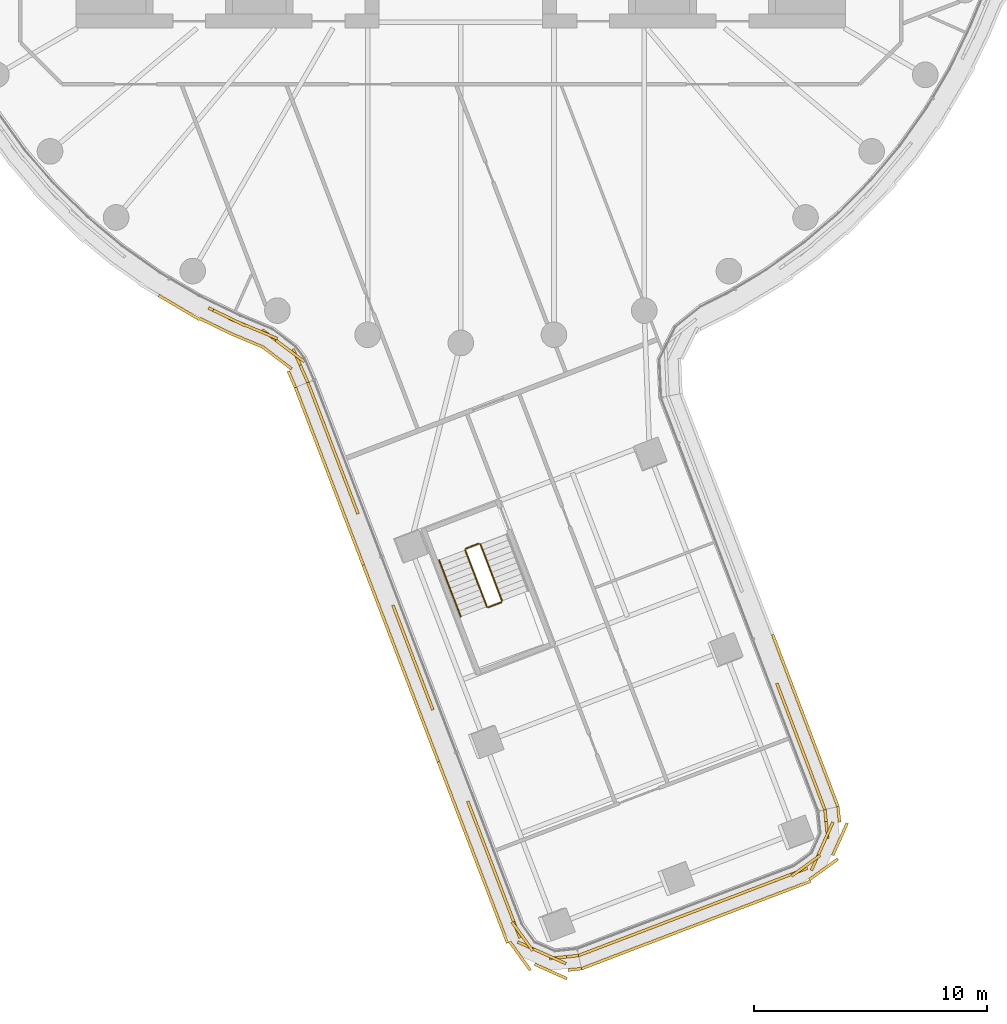
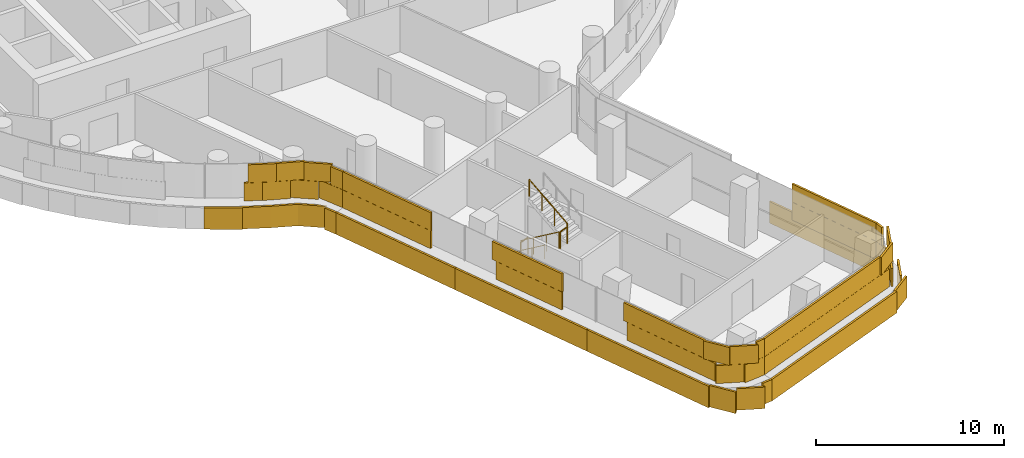
# One storey, part 26 of 32: 6 coverings, 5 railings.
"""IFC4 building model written with IfcOpenShell, lengths in metres."""

from ifc_helpers import new_model, si_unit, direction, frame, origin, origin_2d, place, context, subcontext, project, spatial, rectangle, circle, extrude, material, layer, layer_set, type_object, element, save


model = new_model("IFC4")

# Units and contexts
model_context = context("Model", 3, precision=1e-05, world=origin(), true_north=direction((0.0, 1.0)))
body_context = subcontext(model_context, "Body", "Model", "MODEL_VIEW")
ifc_project = project(units=[si_unit("LENGTHUNIT", "METRE"), si_unit("AREAUNIT", "SQUARE_METRE"), si_unit("VOLUMEUNIT", "CUBIC_METRE"), si_unit("PLANEANGLEUNIT", "RADIAN"), si_unit("MASSUNIT", "GRAM", prefix="KILO")], contexts=[model_context])

# Site, building, storey
site_placement = place(None, origin())
site = spatial("IfcSite", under=ifc_project, at=site_placement, CompositionType="ELEMENT")
building_placement = place(site_placement, origin())
building = spatial("IfcBuilding", under=site, at=building_placement, Name="Tamarind Cross Interchange Tower", CompositionType="ELEMENT")
storey_placement = place(building_placement, frame((0.0, 0.0, 109.75)))
storey = spatial("IfcBuildingStorey", under=building, at=storey_placement, Name="L26", CompositionType="ELEMENT", Elevation=109.75)

# Railings
ifc_material_1 = material(Name="Stair guard")
railing_type_1 = type_object("IfcRailingType", Name="Stair guard", PredefinedType="GUARDRAIL", material=ifc_material_1)
railing_1_placement = place(storey_placement, frame((0.1875, -31.88330078125, 0.17041015625)))
element("IfcRailing", 1, at=railing_1_placement, inside=storey, type_object=railing_type_1, Name="L26 ST6 stair guard 1", PredefinedType="GUARDRAIL", context=body_context, shape_type="SweptSolid", body=[
    extrude(circle(Radius=0.02392578125, at=origin_2d()), frame((0.0, 0.0, 1.076171875), z_axis=(0.298255740947, -0.781291829036, 0.548294255737), x_axis=(0.934240573214, 0.356643451308, 0.0)), (0.0, 0.0, 1.0), 3.10888671875),
    extrude(circle(Radius=0.02099609375, at=origin_2d()), origin(), (0.0, 0.0, 1.0), 1.052001953125),
    extrude(circle(Radius=0.02099609375, at=origin_2d()), frame((0.30908203125, -0.8095703125, 0.568115234375)), (0.0, 0.0, 1.0), 1.052001953125),
    extrude(circle(Radius=0.02099609375, at=origin_2d()), frame((0.6181640625, -1.619384765625, 1.136474609375)), (0.0, 0.0, 1.0), 1.052001953125),
    extrude(circle(Radius=0.02099609375, at=origin_2d()), frame((0.92724609375, -2.428955078125, 1.70458984375)), (0.0, 0.0, 1.0), 1.052001953125),
])
railing_2_placement = place(storey_placement, frame((1.17919921875, -34.341064453125, 1.875)))
element("IfcRailing", 2, at=railing_2_placement, inside=storey, type_object=railing_type_1, Name="L26 ST6 stair guard 2", PredefinedType="GUARDRAIL", context=body_context, shape_type="SweptSolid", body=[
    extrude(circle(Radius=0.02392578125, at=origin_2d()), frame((0.0, 0.0, 1.076171875), z_axis=(0.934171540045, 0.356824233719, 0.0), x_axis=(-0.356824233719, 0.934171540045, 0.0)), (0.0, 0.0, 1.0), 0.60009765625),
    extrude(circle(Radius=0.02099609375, at=origin_2d()), origin(), (0.0, 0.0, 1.0), 1.052001953125),
    extrude(circle(Radius=0.02099609375, at=origin_2d()), frame((0.560546875, 0.214111328125, 0.0)), (0.0, 0.0, 1.0), 1.052001953125),
])
railing_3_placement = place(storey_placement, frame((1.768798828125, -34.0625, 2.04541015625)))
element("IfcRailing", 3, at=railing_3_placement, inside=storey, type_object=railing_type_1, Name="L26 ST6 stair guard 3", PredefinedType="GUARDRAIL", context=body_context, shape_type="SweptSolid", body=[
    extrude(circle(Radius=0.02392578125, at=origin_2d()), frame((0.0, 0.0, 1.076171875), z_axis=(-0.298327282392, 0.781273527908, 0.548281412388), x_axis=(-0.934209283065, -0.356725406208, 0.0)), (0.0, 0.0, 1.0), 3.10888671875),
    extrude(circle(Radius=0.02099609375, at=origin_2d()), origin(), (0.0, 0.0, 1.0), 1.052001953125),
    extrude(circle(Radius=0.02099609375, at=origin_2d()), frame((-0.30908203125, 0.8095703125, 0.568115234375)), (0.0, 0.0, 1.0), 1.052001953125),
    extrude(circle(Radius=0.02099609375, at=origin_2d()), frame((-0.618408203125, 1.619384765625, 1.136474609375)), (0.0, 0.0, 1.0), 1.052001953125),
    extrude(circle(Radius=0.02099609375, at=origin_2d()), frame((-0.927490234375, 2.428955078125, 1.70458984375)), (0.0, 0.0, 1.0), 1.052001953125),
])
railing_4_placement = place(storey_placement, frame((0.21630859375, -31.818603515625, 0.0)))
element("IfcRailing", 4, at=railing_4_placement, inside=storey, type_object=railing_type_1, Name="L26 ST6 stair guard 4", PredefinedType="GUARDRAIL", context=body_context, shape_type="SweptSolid", body=[
    extrude(circle(Radius=0.02392578125, at=origin_2d()), frame((0.0, 0.0, 1.076171875), z_axis=(0.934307115973, 0.356469091286, 0.0), x_axis=(-0.356469091286, 0.934307115973, 0.0)), (0.0, 0.0, 1.0), 0.599853515625),
    extrude(circle(Radius=0.02099609375, at=origin_2d()), origin(), (0.0, 0.0, 1.0), 1.052001953125),
    extrude(circle(Radius=0.02099609375, at=origin_2d()), frame((0.560546875, 0.2138671875, 0.0)), (0.0, 0.0, 1.0), 1.052001953125),
])
ifc_material_2 = material(Name="Stair handrail")
railing_type_2 = type_object("IfcRailingType", Name="Stair handrail", PredefinedType="HANDRAIL", material=ifc_material_2)
railing_5_placement = place(storey_placement, frame((-0.93359375, -32.311279296875, 0.17041015625)))
element("IfcRailing", 5, at=railing_5_placement, inside=storey, type_object=railing_type_2, Name="L26 ST6 stair handrail 1", PredefinedType="HANDRAIL", context=body_context, shape_type="SweptSolid", body=[
    extrude(circle(Radius=0.02392578125, at=origin_2d()), frame((0.0, 0.0, 0.8759765625), z_axis=(0.298255740947, -0.781291829036, 0.548294255737), x_axis=(0.934240573214, 0.356643451308, 0.0)), (0.0, 0.0, 1.0), 3.10888671875),
    extrude(circle(Radius=0.02099609375, at=origin_2d()), origin(), (0.0, 0.0, 1.0), 0.851806640625),
    extrude(circle(Radius=0.02099609375, at=origin_2d()), frame((0.30908203125, -0.8095703125, 0.568115234375)), (0.0, 0.0, 1.0), 0.851806640625),
    extrude(circle(Radius=0.02099609375, at=origin_2d()), frame((0.6181640625, -1.619384765625, 1.136474609375)), (0.0, 0.0, 1.0), 0.851806640625),
    extrude(circle(Radius=0.02099609375, at=origin_2d()), frame((0.92724609375, -2.428955078125, 1.70458984375)), (0.0, 0.0, 1.0), 0.851806640625),
])

# Coverings
ifc_material_3 = material(Name="Terracotta", Category="masonry")
ifc_layer = layer(ifc_material_3, 0.1201171875)
ifc_layer_set = layer_set([ifc_layer], Name="Terracotta")
covering_type = type_object("IfcCoveringType", Name="Terracotta baguette screen unit", PredefinedType="MOLDING", material=ifc_layer_set)
covering_1_placement = place(storey_placement, origin())
element("IfcCovering", 6, at=covering_1_placement, inside=storey, type_object=covering_type, Name="SCR-L26-02-01", PredefinedType="MOLDING", context=body_context, shape_type="SweptSolid", body=[
    extrude(rectangle(XDim=0.989013671875, YDim=0.1201171875, at=origin_2d()), frame((-10.378662109375, -21.712646484375, 1.404052734375), z_axis=(0.0, 0.0, 1.0), x_axis=(0.900272776334, -0.435326231914, 0.0)), (0.0, 0.0, 1.0), 1.1669921875),
    extrude(rectangle(XDim=1.52001953125, YDim=0.1201171875, at=origin_2d()), frame((-9.2548828125, -22.235107421875, 1.404052734375), z_axis=(0.0, 0.0, 1.0), x_axis=(0.92225308649, -0.386586658408, 0.0)), (0.0, 0.0, 1.0), 1.1669921875),
    extrude(rectangle(XDim=1.52001953125, YDim=0.1201171875, at=origin_2d()), frame((-7.917724609375, -22.89501953125, 1.404052734375), z_axis=(0.0, 0.0, 1.0), x_axis=(0.798500600965, -0.601994011813, 0.0)), (0.0, 0.0, 1.0), 1.1669921875),
    extrude(rectangle(XDim=1.52001953125, YDim=0.1201171875, at=origin_2d()), frame((-6.8876953125, -23.95166015625, 1.404052734375), z_axis=(0.0, 0.0, 1.0), x_axis=(0.403415408267, -0.915016944309, 0.0)), (0.0, 0.0, 1.0), 1.1669921875),
    extrude(rectangle(XDim=0.068359375, YDim=0.1201171875, at=origin_2d()), frame((-6.573486328125, -24.664794921875, 1.404052734375), z_axis=(0.0, 0.0, 1.0), x_axis=(0.403415408267, -0.915016944309, 0.0)), (0.0, 0.0, 1.0), 1.1669921875),
    extrude(rectangle(XDim=1.52001953125, YDim=0.1201171875, at=origin_2d()), frame((-9.93798828125, -21.92578125, 2.5791015625), z_axis=(0.0, 0.0, 1.0), x_axis=(0.900272776334, -0.435326231914, 0.0)), (0.0, 0.0, 1.0), 1.1669921875),
    extrude(rectangle(XDim=1.52001953125, YDim=0.1201171875, at=origin_2d()), frame((-8.563232421875, -22.52490234375, 2.5791015625), z_axis=(0.0, 0.0, 1.0), x_axis=(0.92225308649, -0.386586658408, 0.0)), (0.0, 0.0, 1.0), 1.1669921875),
    extrude(rectangle(XDim=1.52001953125, YDim=0.1201171875, at=origin_2d()), frame((-7.31884765625, -23.346435546875, 2.5791015625), z_axis=(0.0, 0.0, 1.0), x_axis=(0.798500600965, -0.601994011813, 0.0)), (0.0, 0.0, 1.0), 1.1669921875),
    extrude(rectangle(XDim=0.818359375, YDim=0.1201171875, at=origin_2d()), frame((-6.724609375, -24.321533203125, 2.5791015625), z_axis=(0.0, 0.0, 1.0), x_axis=(0.403415408267, -0.915016944309, 0.0)), (0.0, 0.0, 1.0), 1.1669921875),
    extrude(rectangle(XDim=0.534423828125, YDim=0.1201171875, at=origin_2d()), frame((-12.7236328125, -21.101318359375, 0.00390625), z_axis=(0.0, 0.0, 1.0), x_axis=(0.861248933065, -0.508183308752, 0.0)), (0.0, 0.0, 1.0), 1.39208984375),
    extrude(rectangle(XDim=1.52001953125, YDim=0.1201171875, at=origin_2d()), frame((-11.856201171875, -21.61328125, 0.00390625), z_axis=(0.0, 0.0, 1.0), x_axis=(0.861248933065, -0.508183308752, 0.0)), (0.0, 0.0, 1.0), 1.39208984375),
    extrude(rectangle(XDim=1.52001953125, YDim=0.1201171875, at=origin_2d()), frame((-10.515380859375, -22.2841796875, 0.00390625), z_axis=(0.0, 0.0, 1.0), x_axis=(0.900272776334, -0.435326231914, 0.0)), (0.0, 0.0, 1.0), 1.39208984375),
    extrude(rectangle(XDim=1.52001953125, YDim=0.1201171875, at=origin_2d()), frame((-9.14892578125, -22.90185546875, 0.00390625), z_axis=(0.0, 0.0, 1.0), x_axis=(0.92225308649, -0.386586658408, 0.0)), (0.0, 0.0, 1.0), 1.39208984375),
    extrude(rectangle(XDim=1.52001953125, YDim=0.1201171875, at=origin_2d()), frame((-7.864501953125, -23.65380859375, 0.00390625), z_axis=(0.0, 0.0, 1.0), x_axis=(0.798500600965, -0.601994011813, 0.0)), (0.0, 0.0, 1.0), 1.39208984375),
    extrude(rectangle(XDim=0.760498046875, YDim=0.1201171875, at=origin_2d()), frame((-7.24609375, -24.561767578125, 0.00390625), z_axis=(0.0, 0.0, 1.0), x_axis=(0.403415408267, -0.915016944309, 0.0)), (0.0, 0.0, 1.0), 1.39208984375),
])
covering_2_placement = place(storey_placement, origin())
element("IfcCovering", 7, at=covering_2_placement, inside=storey, type_object=covering_type, Name="SCR-L26-03-00", PredefinedType="MOLDING", context=body_context, shape_type="SweptSolid", body=[
    extrude(rectangle(XDim=1.510009765625, YDim=0.1201171875, at=origin_2d()), frame((-6.294189453125, -25.39208984375, 1.404052734375), z_axis=(0.0, 0.0, 1.0), x_axis=(0.356672778674, -0.934229377055, 0.0)), (0.0, 0.0, 1.0), 1.1669921875),
    extrude(rectangle(XDim=1.52001953125, YDim=0.1201171875, at=origin_2d()), frame((-5.759033203125, -26.79345703125, 1.404052734375), z_axis=(0.0, 0.0, 1.0), x_axis=(0.356672778674, -0.934229377055, 0.0)), (0.0, 0.0, 1.0), 1.1669921875),
    extrude(rectangle(XDim=1.52001953125, YDim=0.1201171875, at=origin_2d()), frame((-5.22412109375, -28.19482421875, 1.404052734375), z_axis=(0.0, 0.0, 1.0), x_axis=(0.356672778674, -0.934229377055, 0.0)), (0.0, 0.0, 1.0), 1.1669921875),
    extrude(rectangle(XDim=1.52001953125, YDim=0.1201171875, at=origin_2d()), frame((-4.68896484375, -29.59619140625, 1.404052734375), z_axis=(0.0, 0.0, 1.0), x_axis=(0.356672778674, -0.934229377055, 0.0)), (0.0, 0.0, 1.0), 1.1669921875),
    extrude(rectangle(XDim=0.760009765625, YDim=0.1201171875, at=origin_2d()), frame((-6.427734375, -25.041748046875, 2.5791015625), z_axis=(0.0, 0.0, 1.0), x_axis=(0.356672778674, -0.934229377055, 0.0)), (0.0, 0.0, 1.0), 1.1669921875),
    extrude(rectangle(XDim=1.52001953125, YDim=0.1201171875, at=origin_2d()), frame((-6.026611328125, -26.0927734375, 2.5791015625), z_axis=(0.0, 0.0, 1.0), x_axis=(0.356672778674, -0.934229377055, 0.0)), (0.0, 0.0, 1.0), 1.1669921875),
    extrude(rectangle(XDim=1.52001953125, YDim=0.1201171875, at=origin_2d()), frame((-5.49169921875, -27.494140625, 2.5791015625), z_axis=(0.0, 0.0, 1.0), x_axis=(0.356672778674, -0.934229377055, 0.0)), (0.0, 0.0, 1.0), 1.1669921875),
    extrude(rectangle(XDim=1.52001953125, YDim=0.1201171875, at=origin_2d()), frame((-4.95654296875, -28.8955078125, 2.5791015625), z_axis=(0.0, 0.0, 1.0), x_axis=(0.356672778674, -0.934229377055, 0.0)), (0.0, 0.0, 1.0), 1.1669921875),
    extrude(rectangle(XDim=0.791259765625, YDim=0.1201171875, at=origin_2d()), frame((-4.5498046875, -29.961181640625, 2.5791015625), z_axis=(0.0, 0.0, 1.0), x_axis=(0.356672778674, -0.934229377055, 0.0)), (0.0, 0.0, 1.0), 1.1669921875),
    extrude(rectangle(XDim=1.510009765625, YDim=0.1201171875, at=origin_2d()), frame((-6.823486328125, -25.614990234375, 0.00390625), z_axis=(0.0, 0.0, 1.0), x_axis=(0.356672778674, -0.934229377055, 0.0)), (0.0, 0.0, 1.0), 1.39208984375),
    extrude(rectangle(XDim=1.52001953125, YDim=0.1201171875, at=origin_2d()), frame((-6.2900390625, -27.01171875, 0.00390625), z_axis=(0.0, 0.0, 1.0), x_axis=(0.356672778674, -0.934229377055, 0.0)), (0.0, 0.0, 1.0), 1.39208984375),
    extrude(rectangle(XDim=1.52001953125, YDim=0.1201171875, at=origin_2d()), frame((-5.755126953125, -28.4130859375, 0.00390625), z_axis=(0.0, 0.0, 1.0), x_axis=(0.356672778674, -0.934229377055, 0.0)), (0.0, 0.0, 1.0), 1.39208984375),
    extrude(rectangle(XDim=1.52001953125, YDim=0.1201171875, at=origin_2d()), frame((-5.22021484375, -29.814453125, 0.00390625), z_axis=(0.0, 0.0, 1.0), x_axis=(0.356672778674, -0.934229377055, 0.0)), (0.0, 0.0, 1.0), 1.39208984375),
    extrude(rectangle(XDim=1.52001953125, YDim=0.1201171875, at=origin_2d()), frame((-4.68505859375, -31.2158203125, 0.00390625), z_axis=(0.0, 0.0, 1.0), x_axis=(0.356672778674, -0.934229377055, 0.0)), (0.0, 0.0, 1.0), 1.39208984375),
    extrude(rectangle(XDim=0.6611328125, YDim=0.1201171875, at=origin_2d()), frame((-4.30322265625, -32.2158203125, 0.00390625), z_axis=(0.0, 0.0, 1.0), x_axis=(0.356672778674, -0.934229377055, 0.0)), (0.0, 0.0, 1.0), 1.39208984375),
])
covering_3_placement = place(storey_placement, origin())
element("IfcCovering", 8, at=covering_3_placement, inside=storey, type_object=covering_type, Name="SCR-L26-03-01", PredefinedType="MOLDING", context=body_context, shape_type="SweptSolid", body=[
    extrude(rectangle(XDim=1.52001953125, YDim=0.1201171875, at=origin_2d()), frame((-2.549072265625, -35.201416015625, 1.404052734375), z_axis=(0.0, 0.0, 1.0), x_axis=(0.356672778674, -0.934229377055, 0.0)), (0.0, 0.0, 1.0), 1.1669921875),
    extrude(rectangle(XDim=1.52001953125, YDim=0.1201171875, at=origin_2d()), frame((-2.013916015625, -36.602783203125, 1.404052734375), z_axis=(0.0, 0.0, 1.0), x_axis=(0.356672778674, -0.934229377055, 0.0)), (0.0, 0.0, 1.0), 1.1669921875),
    extrude(rectangle(XDim=1.52001953125, YDim=0.1201171875, at=origin_2d()), frame((-1.47900390625, -38.004150390625, 1.404052734375), z_axis=(0.0, 0.0, 1.0), x_axis=(0.356672778674, -0.934229377055, 0.0)), (0.0, 0.0, 1.0), 1.1669921875),
    extrude(rectangle(XDim=1.02880859375, YDim=0.1201171875, at=origin_2d()), frame((-2.730712890625, -34.7255859375, 2.5791015625), z_axis=(0.0, 0.0, 1.0), x_axis=(0.356672778674, -0.934229377055, 0.0)), (0.0, 0.0, 1.0), 1.1669921875),
    extrude(rectangle(XDim=1.52001953125, YDim=0.1201171875, at=origin_2d()), frame((-2.281494140625, -35.902099609375, 2.5791015625), z_axis=(0.0, 0.0, 1.0), x_axis=(0.356672778674, -0.934229377055, 0.0)), (0.0, 0.0, 1.0), 1.1669921875),
    extrude(rectangle(XDim=1.52001953125, YDim=0.1201171875, at=origin_2d()), frame((-1.74658203125, -37.303466796875, 2.5791015625), z_axis=(0.0, 0.0, 1.0), x_axis=(0.356672778674, -0.934229377055, 0.0)), (0.0, 0.0, 1.0), 1.1669921875),
    extrude(rectangle(XDim=0.794677734375, YDim=0.1201171875, at=origin_2d()), frame((-1.339111328125, -38.370849609375, 2.5791015625), z_axis=(0.0, 0.0, 1.0), x_axis=(0.356672778674, -0.934229377055, 0.0)), (0.0, 0.0, 1.0), 1.1669921875),
    extrude(rectangle(XDim=0.85888671875, YDim=0.1201171875, at=origin_2d()), frame((-4.0322265625, -32.926025390625, 0.00390625), z_axis=(0.0, 0.0, 1.0), x_axis=(0.356672778674, -0.934229377055, 0.0)), (0.0, 0.0, 1.0), 1.39208984375),
    extrude(rectangle(XDim=1.52001953125, YDim=0.1201171875, at=origin_2d()), frame((-3.614990234375, -34.0185546875, 0.00390625), z_axis=(0.0, 0.0, 1.0), x_axis=(0.356672778674, -0.934229377055, 0.0)), (0.0, 0.0, 1.0), 1.39208984375),
    extrude(rectangle(XDim=1.52001953125, YDim=0.1201171875, at=origin_2d()), frame((-3.080078125, -35.419921875, 0.00390625), z_axis=(0.0, 0.0, 1.0), x_axis=(0.356672778674, -0.934229377055, 0.0)), (0.0, 0.0, 1.0), 1.39208984375),
    extrude(rectangle(XDim=1.52001953125, YDim=0.1201171875, at=origin_2d()), frame((-2.545166015625, -36.821044921875, 0.00390625), z_axis=(0.0, 0.0, 1.0), x_axis=(0.356672778674, -0.934229377055, 0.0)), (0.0, 0.0, 1.0), 1.39208984375),
    extrude(rectangle(XDim=1.52001953125, YDim=0.1201171875, at=origin_2d()), frame((-2.010009765625, -38.222412109375, 0.00390625), z_axis=(0.0, 0.0, 1.0), x_axis=(0.356672778674, -0.934229377055, 0.0)), (0.0, 0.0, 1.0), 1.39208984375),
    extrude(rectangle(XDim=1.52001953125, YDim=0.1201171875, at=origin_2d()), frame((-1.47509765625, -39.623779296875, 0.00390625), z_axis=(0.0, 0.0, 1.0), x_axis=(0.356672778674, -0.934229377055, 0.0)), (0.0, 0.0, 1.0), 1.39208984375),
    extrude(rectangle(XDim=0.6865234375, YDim=0.1201171875, at=origin_2d()), frame((-1.088623046875, -40.635986328125, 0.00390625), z_axis=(0.0, 0.0, 1.0), x_axis=(0.356672778674, -0.934229377055, 0.0)), (0.0, 0.0, 1.0), 1.39208984375),
])
covering_4_placement = place(storey_placement, origin())
element("IfcCovering", 9, at=covering_4_placement, inside=storey, type_object=covering_type, Name="SCR-L26-03-02", PredefinedType="MOLDING", context=body_context, shape_type="SweptSolid", body=[
    extrude(rectangle(XDim=1.52001953125, YDim=0.1201171875, at=origin_2d()), frame((0.6611328125, -43.609619140625, 1.404052734375), z_axis=(0.0, 0.0, 1.0), x_axis=(0.356672778674, -0.934229377055, 0.0)), (0.0, 0.0, 1.0), 1.1669921875),
    extrude(rectangle(XDim=1.52001953125, YDim=0.1201171875, at=origin_2d()), frame((1.196044921875, -45.010986328125, 1.404052734375), z_axis=(0.0, 0.0, 1.0), x_axis=(0.356672778674, -0.934229377055, 0.0)), (0.0, 0.0, 1.0), 1.1669921875),
    extrude(rectangle(XDim=1.52001953125, YDim=0.1201171875, at=origin_2d()), frame((1.73095703125, -46.412353515625, 1.404052734375), z_axis=(0.0, 0.0, 1.0), x_axis=(0.356672778674, -0.934229377055, 0.0)), (0.0, 0.0, 1.0), 1.1669921875),
    extrude(rectangle(XDim=1.52001953125, YDim=0.1201171875, at=origin_2d()), frame((2.26611328125, -47.813720703125, 1.404052734375), z_axis=(0.0, 0.0, 1.0), x_axis=(0.356672778674, -0.934229377055, 0.0)), (0.0, 0.0, 1.0), 1.1669921875),
    extrude(rectangle(XDim=1.52001953125, YDim=0.1201171875, at=origin_2d()), frame((3.130126953125, -49.00341796875, 1.404052734375), z_axis=(0.0, 0.0, 1.0), x_axis=(0.912805668165, -0.408394187234, 0.0)), (0.0, 0.0, 1.0), 1.1669921875),
    extrude(rectangle(XDim=1.265625, YDim=0.1201171875, at=origin_2d()), frame((4.424072265625, -49.339599609375, 1.404052734375), z_axis=(0.0, 0.0, 1.0), x_axis=(0.994709990966, 0.10272309318, 0.0)), (0.0, 0.0, 1.0), 1.1669921875),
    extrude(rectangle(XDim=1.025146484375, YDim=0.1201171875, at=origin_2d()), frame((0.47998046875, -43.13525390625, 2.5791015625), z_axis=(0.0, 0.0, 1.0), x_axis=(0.356672778674, -0.934229377055, 0.0)), (0.0, 0.0, 1.0), 1.1669921875),
    extrude(rectangle(XDim=1.52001953125, YDim=0.1201171875, at=origin_2d()), frame((0.928466796875, -44.310302734375, 2.5791015625), z_axis=(0.0, 0.0, 1.0), x_axis=(0.356672778674, -0.934229377055, 0.0)), (0.0, 0.0, 1.0), 1.1669921875),
    extrude(rectangle(XDim=1.52001953125, YDim=0.1201171875, at=origin_2d()), frame((1.463623046875, -45.711669921875, 2.5791015625), z_axis=(0.0, 0.0, 1.0), x_axis=(0.356672778674, -0.934229377055, 0.0)), (0.0, 0.0, 1.0), 1.1669921875),
    extrude(rectangle(XDim=1.52001953125, YDim=0.1201171875, at=origin_2d()), frame((1.99853515625, -47.113037109375, 2.5791015625), z_axis=(0.0, 0.0, 1.0), x_axis=(0.356672778674, -0.934229377055, 0.0)), (0.0, 0.0, 1.0), 1.1669921875),
    extrude(rectangle(XDim=1.52001953125, YDim=0.1201171875, at=origin_2d()), frame((2.6416015625, -48.455810546875, 2.5791015625), z_axis=(0.0, 0.0, 1.0), x_axis=(0.586315803732, -0.810082574985, 0.0)), (0.0, 0.0, 1.0), 1.1669921875),
    extrude(rectangle(XDim=1.52001953125, YDim=0.1201171875, at=origin_2d()), frame((3.814697265625, -49.309814453125, 2.5791015625), z_axis=(0.0, 0.0, 1.0), x_axis=(0.912805668165, -0.408394187234, 0.0)), (0.0, 0.0, 1.0), 1.1669921875),
    extrude(rectangle(XDim=0.515625, YDim=0.1201171875, at=origin_2d()), frame((4.797119140625, -49.301025390625, 2.5791015625), z_axis=(0.0, 0.0, 1.0), x_axis=(0.994709990966, 0.10272309318, 0.0)), (0.0, 0.0, 1.0), 1.1669921875),
    extrude(rectangle(XDim=0.83349609375, YDim=0.1201171875, at=origin_2d()), frame((-0.817626953125, -41.345947265625, 0.00390625), z_axis=(0.0, 0.0, 1.0), x_axis=(0.356672778674, -0.934229377055, 0.0)), (0.0, 0.0, 1.0), 1.39208984375),
    extrude(rectangle(XDim=1.52001953125, YDim=0.1201171875, at=origin_2d()), frame((-0.405029296875, -42.426513671875, 0.00390625), z_axis=(0.0, 0.0, 1.0), x_axis=(0.356672778674, -0.934229377055, 0.0)), (0.0, 0.0, 1.0), 1.39208984375),
    extrude(rectangle(XDim=1.52001953125, YDim=0.1201171875, at=origin_2d()), frame((0.1298828125, -43.827880859375, 0.00390625), z_axis=(0.0, 0.0, 1.0), x_axis=(0.356672778674, -0.934229377055, 0.0)), (0.0, 0.0, 1.0), 1.39208984375),
    extrude(rectangle(XDim=1.52001953125, YDim=0.1201171875, at=origin_2d()), frame((0.6650390625, -45.229248046875, 0.00390625), z_axis=(0.0, 0.0, 1.0), x_axis=(0.356672778674, -0.934229377055, 0.0)), (0.0, 0.0, 1.0), 1.39208984375),
    extrude(rectangle(XDim=1.52001953125, YDim=0.1201171875, at=origin_2d()), frame((1.199951171875, -46.630615234375, 0.00390625), z_axis=(0.0, 0.0, 1.0), x_axis=(0.356672778674, -0.934229377055, 0.0)), (0.0, 0.0, 1.0), 1.39208984375),
    extrude(rectangle(XDim=1.52001953125, YDim=0.1201171875, at=origin_2d()), frame((1.73486328125, -48.031982421875, 0.00390625), z_axis=(0.0, 0.0, 1.0), x_axis=(0.356672778674, -0.934229377055, 0.0)), (0.0, 0.0, 1.0), 1.39208984375),
    extrude(rectangle(XDim=1.52001953125, YDim=0.1201171875, at=origin_2d()), frame((2.5361328125, -49.289306640625, 0.00390625), z_axis=(0.0, 0.0, 1.0), x_axis=(0.586315803732, -0.810082574985, 0.0)), (0.0, 0.0, 1.0), 1.39208984375),
    extrude(rectangle(XDim=1.52001953125, YDim=0.1201171875, at=origin_2d()), frame((3.859375, -49.958740234375, 0.00390625), z_axis=(0.0, 0.0, 1.0), x_axis=(0.912805668165, -0.408394187234, 0.0)), (0.0, 0.0, 1.0), 1.39208984375),
    extrude(rectangle(XDim=0.593017578125, YDim=0.1201171875, at=origin_2d()), frame((4.8876953125, -49.86865234375, 0.00390625), z_axis=(0.0, 0.0, 1.0), x_axis=(0.994709990966, 0.10272309318, 0.0)), (0.0, 0.0, 1.0), 1.39208984375),
])
covering_5_placement = place(storey_placement, origin())
element("IfcCovering", 10, at=covering_5_placement, inside=storey, type_object=covering_type, Name="SCR-L26-04-00", PredefinedType="MOLDING", context=body_context, shape_type="SweptSolid", body=[
    extrude(rectangle(XDim=1.510009765625, YDim=0.1201171875, at=origin_2d()), frame((5.7490234375, -49.007568359375, 1.404052734375), z_axis=(0.0, 0.0, 1.0), x_axis=(0.934229377055, 0.356672778674, 0.0)), (0.0, 0.0, 1.0), 1.1669921875),
    extrude(rectangle(XDim=1.52001953125, YDim=0.1201171875, at=origin_2d()), frame((7.150390625, -48.47265625, 1.404052734375), z_axis=(0.0, 0.0, 1.0), x_axis=(0.934229377055, 0.356672778674, 0.0)), (0.0, 0.0, 1.0), 1.1669921875),
    extrude(rectangle(XDim=1.52001953125, YDim=0.1201171875, at=origin_2d()), frame((8.5517578125, -47.9375, 1.404052734375), z_axis=(0.0, 0.0, 1.0), x_axis=(0.934229377055, 0.356672778674, 0.0)), (0.0, 0.0, 1.0), 1.1669921875),
    extrude(rectangle(XDim=1.52001953125, YDim=0.1201171875, at=origin_2d()), frame((9.953125, -47.402587890625, 1.404052734375), z_axis=(0.0, 0.0, 1.0), x_axis=(0.934229377055, 0.356672778674, 0.0)), (0.0, 0.0, 1.0), 1.1669921875),
    extrude(rectangle(XDim=1.52001953125, YDim=0.1201171875, at=origin_2d()), frame((11.3544921875, -46.867431640625, 1.404052734375), z_axis=(0.0, 0.0, 1.0), x_axis=(0.934229377055, 0.356672778674, 0.0)), (0.0, 0.0, 1.0), 1.1669921875),
    extrude(rectangle(XDim=1.52001953125, YDim=0.1201171875, at=origin_2d()), frame((12.755859375, -46.33251953125, 1.404052734375), z_axis=(0.0, 0.0, 1.0), x_axis=(0.934229377055, 0.356672778674, 0.0)), (0.0, 0.0, 1.0), 1.1669921875),
    extrude(rectangle(XDim=1.52001953125, YDim=0.1201171875, at=origin_2d()), frame((14.1572265625, -45.797607421875, 1.404052734375), z_axis=(0.0, 0.0, 1.0), x_axis=(0.934229377055, 0.356672778674, 0.0)), (0.0, 0.0, 1.0), 1.1669921875),
    extrude(rectangle(XDim=1.52001953125, YDim=0.1201171875, at=origin_2d()), frame((15.343994140625, -44.93017578125, 1.404052734375), z_axis=(0.0, 0.0, 1.0), x_axis=(0.408394187234, 0.912805668165, 0.0)), (0.0, 0.0, 1.0), 1.1669921875),
    extrude(rectangle(XDim=1.259521484375, YDim=0.1201171875, at=origin_2d()), frame((15.67724609375, -43.638671875, 1.404052734375), z_axis=(0.0, 0.0, 1.0), x_axis=(-0.10272309318, 0.994709990966, 0.0)), (0.0, 0.0, 1.0), 1.1669921875),
    extrude(rectangle(XDim=0.760009765625, YDim=0.1201171875, at=origin_2d()), frame((5.398681640625, -49.141357421875, 2.5791015625), z_axis=(0.0, 0.0, 1.0), x_axis=(0.934229377055, 0.356672778674, 0.0)), (0.0, 0.0, 1.0), 1.1669921875),
    extrude(rectangle(XDim=1.52001953125, YDim=0.1201171875, at=origin_2d()), frame((6.44970703125, -48.739990234375, 2.5791015625), z_axis=(0.0, 0.0, 1.0), x_axis=(0.934229377055, 0.356672778674, 0.0)), (0.0, 0.0, 1.0), 1.1669921875),
    extrude(rectangle(XDim=1.52001953125, YDim=0.1201171875, at=origin_2d()), frame((7.85107421875, -48.205078125, 2.5791015625), z_axis=(0.0, 0.0, 1.0), x_axis=(0.934229377055, 0.356672778674, 0.0)), (0.0, 0.0, 1.0), 1.1669921875),
    extrude(rectangle(XDim=1.52001953125, YDim=0.1201171875, at=origin_2d()), frame((9.25244140625, -47.669921875, 2.5791015625), z_axis=(0.0, 0.0, 1.0), x_axis=(0.934229377055, 0.356672778674, 0.0)), (0.0, 0.0, 1.0), 1.1669921875),
    extrude(rectangle(XDim=1.52001953125, YDim=0.1201171875, at=origin_2d()), frame((10.65380859375, -47.135009765625, 2.5791015625), z_axis=(0.0, 0.0, 1.0), x_axis=(0.934229377055, 0.356672778674, 0.0)), (0.0, 0.0, 1.0), 1.1669921875),
    extrude(rectangle(XDim=1.52001953125, YDim=0.1201171875, at=origin_2d()), frame((12.05517578125, -46.60009765625, 2.5791015625), z_axis=(0.0, 0.0, 1.0), x_axis=(0.934229377055, 0.356672778674, 0.0)), (0.0, 0.0, 1.0), 1.1669921875),
    extrude(rectangle(XDim=1.52001953125, YDim=0.1201171875, at=origin_2d()), frame((13.45654296875, -46.06494140625, 2.5791015625), z_axis=(0.0, 0.0, 1.0), x_axis=(0.934229377055, 0.356672778674, 0.0)), (0.0, 0.0, 1.0), 1.1669921875),
    extrude(rectangle(XDim=1.52001953125, YDim=0.1201171875, at=origin_2d()), frame((14.798828125, -45.420654296875, 2.5791015625), z_axis=(0.0, 0.0, 1.0), x_axis=(0.810082574985, 0.586315803732, 0.0)), (0.0, 0.0, 1.0), 1.1669921875),
    extrude(rectangle(XDim=1.52001953125, YDim=0.1201171875, at=origin_2d()), frame((15.650390625, -44.24560546875, 2.5791015625), z_axis=(0.0, 0.0, 1.0), x_axis=(0.408394187234, 0.912805668165, 0.0)), (0.0, 0.0, 1.0), 1.1669921875),
    extrude(rectangle(XDim=0.509521484375, YDim=0.1201171875, at=origin_2d()), frame((15.638916015625, -43.265869140625, 2.5791015625), z_axis=(0.0, 0.0, 1.0), x_axis=(-0.10272309318, 0.994709990966, 0.0)), (0.0, 0.0, 1.0), 1.1669921875),
    extrude(rectangle(XDim=1.510009765625, YDim=0.1201171875, at=origin_2d()), frame((5.887939453125, -49.569091796875, 0.00390625), z_axis=(0.0, 0.0, 1.0), x_axis=(0.934229377055, 0.356672778674, 0.0)), (0.0, 0.0, 1.0), 1.39208984375),
    extrude(rectangle(XDim=1.52001953125, YDim=0.1201171875, at=origin_2d()), frame((7.28466796875, -49.03564453125, 0.00390625), z_axis=(0.0, 0.0, 1.0), x_axis=(0.934229377055, 0.356672778674, 0.0)), (0.0, 0.0, 1.0), 1.39208984375),
    extrude(rectangle(XDim=1.52001953125, YDim=0.1201171875, at=origin_2d()), frame((8.68603515625, -48.500732421875, 0.00390625), z_axis=(0.0, 0.0, 1.0), x_axis=(0.934229377055, 0.356672778674, 0.0)), (0.0, 0.0, 1.0), 1.39208984375),
    extrude(rectangle(XDim=1.52001953125, YDim=0.1201171875, at=origin_2d()), frame((10.08740234375, -47.9658203125, 0.00390625), z_axis=(0.0, 0.0, 1.0), x_axis=(0.934229377055, 0.356672778674, 0.0)), (0.0, 0.0, 1.0), 1.39208984375),
    extrude(rectangle(XDim=1.52001953125, YDim=0.1201171875, at=origin_2d()), frame((11.488525390625, -47.4306640625, 0.00390625), z_axis=(0.0, 0.0, 1.0), x_axis=(0.934229377055, 0.356672778674, 0.0)), (0.0, 0.0, 1.0), 1.39208984375),
    extrude(rectangle(XDim=1.52001953125, YDim=0.1201171875, at=origin_2d()), frame((12.889892578125, -46.895751953125, 0.00390625), z_axis=(0.0, 0.0, 1.0), x_axis=(0.934229377055, 0.356672778674, 0.0)), (0.0, 0.0, 1.0), 1.39208984375),
    extrude(rectangle(XDim=1.52001953125, YDim=0.1201171875, at=origin_2d()), frame((14.291259765625, -46.360595703125, 0.00390625), z_axis=(0.0, 0.0, 1.0), x_axis=(0.934229377055, 0.356672778674, 0.0)), (0.0, 0.0, 1.0), 1.39208984375),
    extrude(rectangle(XDim=1.52001953125, YDim=0.1201171875, at=origin_2d()), frame((15.55908203125, -45.578857421875, 0.00390625), z_axis=(0.0, 0.0, 1.0), x_axis=(0.810082574985, 0.586315803732, 0.0)), (0.0, 0.0, 1.0), 1.39208984375),
    extrude(rectangle(XDim=1.52001953125, YDim=0.1201171875, at=origin_2d()), frame((16.262451171875, -44.283203125, 0.00390625), z_axis=(0.0, 0.0, 1.0), x_axis=(0.408394187234, 0.912805668165, 0.0)), (0.0, 0.0, 1.0), 1.39208984375),
    extrude(rectangle(XDim=0.676513671875, YDim=0.1201171875, at=origin_2d()), frame((16.211181640625, -43.22021484375, 0.00390625), z_axis=(0.0, 0.0, 1.0), x_axis=(-0.10272309318, 0.994709990966, 0.0)), (0.0, 0.0, 1.0), 1.39208984375),
])
covering_6_placement = place(storey_placement, origin())
element("IfcCovering", 11, at=covering_6_placement, inside=storey, type_object=covering_type, Name="SCR-L26-05-00", PredefinedType="MOLDING", context=body_context, shape_type="SweptSolid", body=[
    extrude(rectangle(XDim=1.510009765625, YDim=0.1201171875, at=origin_2d()), frame((15.3466796875, -42.316162109375, 1.404052734375), z_axis=(0.0, 0.0, 1.0), x_axis=(-0.355185773082, 0.934795735228, 0.0)), (0.0, 0.0, 1.0), 1.1669921875),
    extrude(rectangle(XDim=1.52001953125, YDim=0.1201171875, at=origin_2d()), frame((14.81396484375, -40.9140625, 1.404052734375), z_axis=(0.0, 0.0, 1.0), x_axis=(-0.355185773082, 0.934795735228, 0.0)), (0.0, 0.0, 1.0), 1.1669921875),
    extrude(rectangle(XDim=1.52001953125, YDim=0.1201171875, at=origin_2d()), frame((14.28125, -39.51171875, 1.404052734375), z_axis=(0.0, 0.0, 1.0), x_axis=(-0.355185773082, 0.934795735228, 0.0)), (0.0, 0.0, 1.0), 1.1669921875),
    extrude(rectangle(XDim=1.300537109375, YDim=0.1201171875, at=origin_2d()), frame((13.78564453125, -38.20751953125, 1.404052734375), z_axis=(0.0, 0.0, 1.0), x_axis=(-0.355185773082, 0.934795735228, 0.0)), (0.0, 0.0, 1.0), 1.1669921875),
    extrude(rectangle(XDim=0.760009765625, YDim=0.1201171875, at=origin_2d()), frame((15.47998046875, -42.666748046875, 2.5791015625), z_axis=(0.0, 0.0, 1.0), x_axis=(-0.355185773082, 0.934795735228, 0.0)), (0.0, 0.0, 1.0), 1.1669921875),
    extrude(rectangle(XDim=1.52001953125, YDim=0.1201171875, at=origin_2d()), frame((15.080322265625, -41.614990234375, 2.5791015625), z_axis=(0.0, 0.0, 1.0), x_axis=(-0.355185773082, 0.934795735228, 0.0)), (0.0, 0.0, 1.0), 1.1669921875),
    extrude(rectangle(XDim=1.52001953125, YDim=0.1201171875, at=origin_2d()), frame((14.547607421875, -40.212890625, 2.5791015625), z_axis=(0.0, 0.0, 1.0), x_axis=(-0.355185773082, 0.934795735228, 0.0)), (0.0, 0.0, 1.0), 1.1669921875),
    extrude(rectangle(XDim=1.52001953125, YDim=0.1201171875, at=origin_2d()), frame((14.014892578125, -38.810791015625, 2.5791015625), z_axis=(0.0, 0.0, 1.0), x_axis=(-0.355185773082, 0.934795735228, 0.0)), (0.0, 0.0, 1.0), 1.1669921875),
    extrude(rectangle(XDim=0.550537109375, YDim=0.1201171875, at=origin_2d()), frame((13.65234375, -37.85693359375, 2.5791015625), z_axis=(0.0, 0.0, 1.0), x_axis=(-0.355185773082, 0.934795735228, 0.0)), (0.0, 0.0, 1.0), 1.1669921875),
    extrude(rectangle(XDim=1.510009765625, YDim=0.1201171875, at=origin_2d()), frame((15.908203125, -42.177734375, 0.00390625), z_axis=(0.0, 0.0, 1.0), x_axis=(-0.355185773082, 0.934795735228, 0.0)), (0.0, 0.0, 1.0), 1.39208984375),
    extrude(rectangle(XDim=1.52001953125, YDim=0.1201171875, at=origin_2d()), frame((15.377197265625, -40.7802734375, 0.00390625), z_axis=(0.0, 0.0, 1.0), x_axis=(-0.355185773082, 0.934795735228, 0.0)), (0.0, 0.0, 1.0), 1.39208984375),
    extrude(rectangle(XDim=1.52001953125, YDim=0.1201171875, at=origin_2d()), frame((14.844482421875, -39.378173828125, 0.00390625), z_axis=(0.0, 0.0, 1.0), x_axis=(-0.355185773082, 0.934795735228, 0.0)), (0.0, 0.0, 1.0), 1.39208984375),
    extrude(rectangle(XDim=1.52001953125, YDim=0.1201171875, at=origin_2d()), frame((14.311767578125, -37.975830078125, 0.00390625), z_axis=(0.0, 0.0, 1.0), x_axis=(-0.355185773082, 0.934795735228, 0.0)), (0.0, 0.0, 1.0), 1.39208984375),
    extrude(rectangle(XDim=1.52001953125, YDim=0.1201171875, at=origin_2d()), frame((13.77880859375, -36.57373046875, 0.00390625), z_axis=(0.0, 0.0, 1.0), x_axis=(-0.355185773082, 0.934795735228, 0.0)), (0.0, 0.0, 1.0), 1.39208984375),
    extrude(rectangle(XDim=0.393310546875, YDim=0.1201171875, at=origin_2d()), frame((13.4462890625, -35.6982421875, 0.00390625), z_axis=(0.0, 0.0, 1.0), x_axis=(-0.355185773082, 0.934795735228, 0.0)), (0.0, 0.0, 1.0), 1.39208984375),
])

save(model, "model.ifc")
